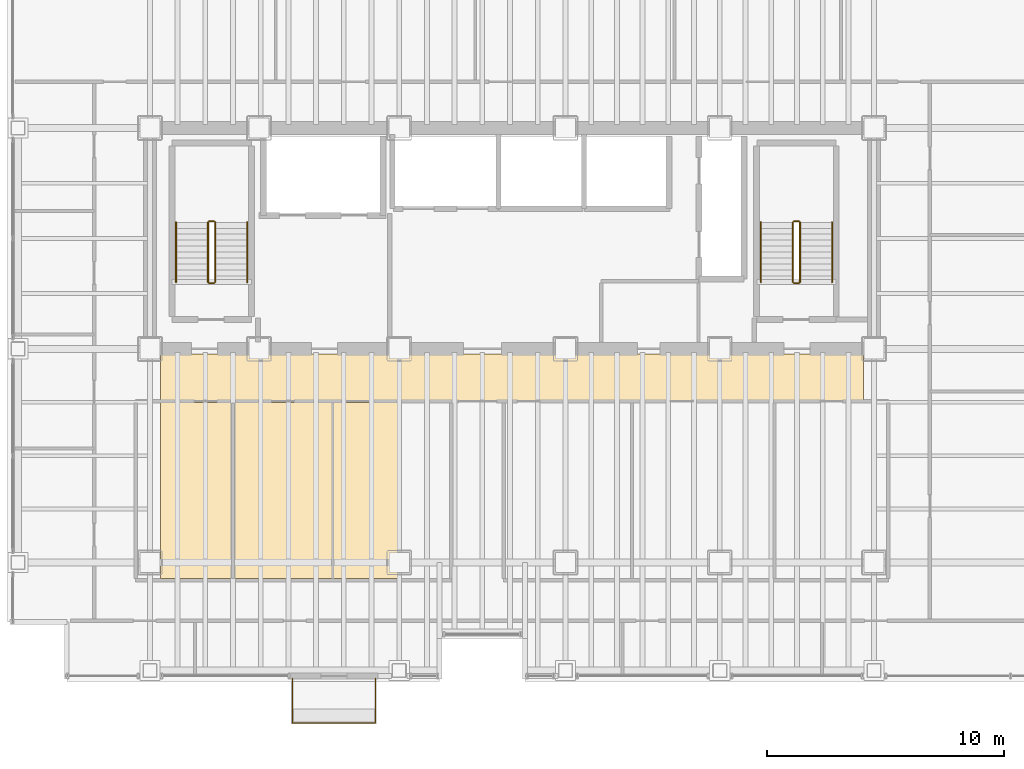
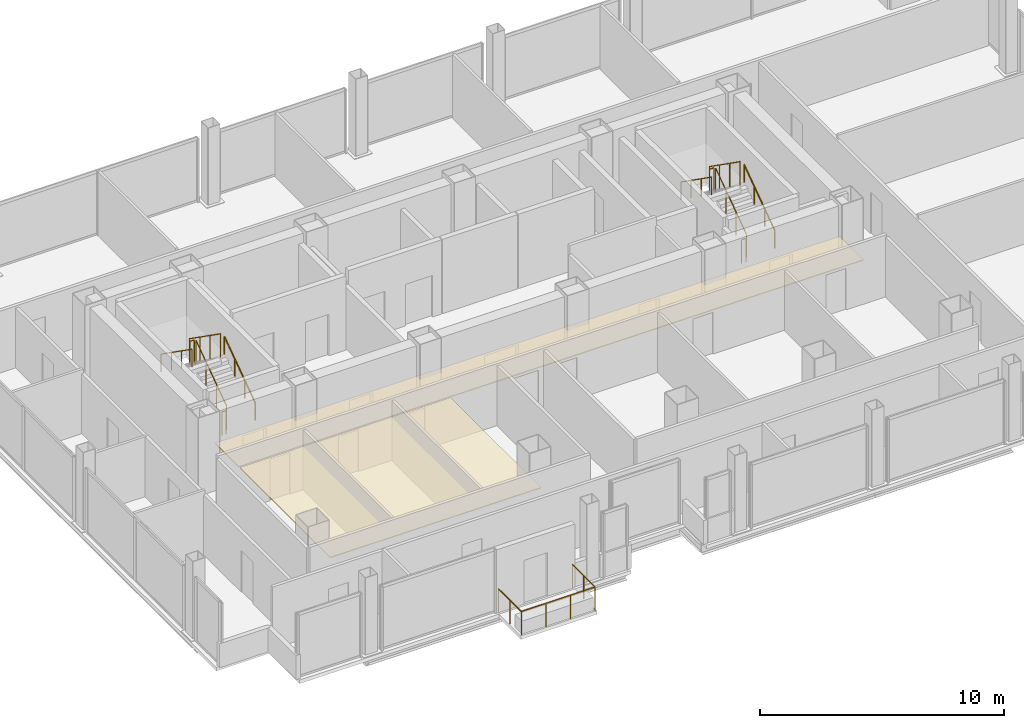
# One storey, part 20 of 20: 13 railings, 2 coverings.
"""IFC4 building model written with IfcOpenShell, lengths in metres."""

import ifcopenshell
import ifcopenshell.guid

model = None  # the IFC model being written
_history = None  # IfcOwnerHistory: only IFC2X3 demands one
_inside = {}  # id of a spatial element -> (the spatial element, [elements in it])
_under = {}  # id of a project, library or spatial element -> (it, [spatial elements below it])
_declared = {}  # id of a project -> (the project, [libraries it declares])
_typed = {}  # id of a type object -> (the type object, [elements of that type])
_made_of = {}  # id of a material, layer set ... -> (it, [elements and type objects made of it])


def new_model(schema):
    """Start an empty IFC model of exactly this schema.

    Asked for "IFC4X3", IfcOpenShell would pick the latest addendum, in which some entities
    have other attributes; the version numbers below select the first issue.
    IFC2X3 requires an IfcOwnerHistory on every rooted entity: one is made here for all.
    """
    global model, _history
    if schema == "IFC4X3":
        model = ifcopenshell.file(schema_version=(4, 3, 0, 0))
    else:
        model = ifcopenshell.file(schema=schema)
    _inside.clear()
    _under.clear()
    _declared.clear()
    _typed.clear()
    _made_of.clear()
    _history = None
    if model.schema == "IFC2X3":
        org = make("IfcOrganization", Name="unknown")
        user = make(
            "IfcPersonAndOrganization",
            ThePerson=make("IfcPerson", FamilyName="unknown"),
            TheOrganization=org,
        )
        app = make(
            "IfcApplication",
            ApplicationDeveloper=org,
            Version="unknown",
            ApplicationFullName="unknown",
            ApplicationIdentifier="unknown",
        )
        _history = make(
            "IfcOwnerHistory",
            OwningUser=user,
            OwningApplication=app,
            ChangeAction="ADDED",
            CreationDate=0,
        )
    return model


def make(cls, **values):
    """One entity of the class cls with the attributes given. An attribute that is None is left unset."""
    return model.create_entity(
        cls, **{name: value for name, value in values.items() if value is not None}
    )


def rooted(cls, **values):
    """An entity with a GlobalId (a new one), such as an element, a storey or a relation."""
    return make(cls, GlobalId=ifcopenshell.guid.new(), OwnerHistory=_history, **values)


def si_unit(unit_type, name, prefix=None):
    """IfcSIUnit, for example si_unit("LENGTHUNIT", "METRE", prefix="MILLI")."""
    return make("IfcSIUnit", UnitType=unit_type, Prefix=prefix, Name=name)


def assignment(units):
    """IfcUnitAssignment: the units of a project."""
    return None if units is None else make("IfcUnitAssignment", Units=units)


def point(xyz):
    """IfcCartesianPoint."""
    return None if xyz is None else make("IfcCartesianPoint", Coordinates=xyz)


def direction(xyz):
    """IfcDirection."""
    return None if xyz is None else make("IfcDirection", DirectionRatios=xyz)


def frame(location, z_axis=None, x_axis=None):
    """IfcAxis2Placement3D, a coordinate frame: its origin and axes. An axis left out is left unset."""
    return make(
        "IfcAxis2Placement3D",
        Location=point(location),
        Axis=direction(z_axis),
        RefDirection=direction(x_axis),
    )


def frame_2d(location, x_axis=None):
    """IfcAxis2Placement2D, a coordinate frame in the plane: its origin and x axis."""
    return make(
        "IfcAxis2Placement2D", Location=point(location), RefDirection=direction(x_axis)
    )


def origin():
    """The frame at (0, 0, 0) with its axes left unset."""
    return frame((0.0, 0.0, 0.0))


def origin_2d():
    """The frame at (0, 0) in the plane with its x axis left unset."""
    return frame_2d((0.0, 0.0))


def place(relative_to, where):
    """IfcLocalPlacement: puts the frame where relative to a parent placement (None: the world)."""
    return make(
        "IfcLocalPlacement", PlacementRelTo=relative_to, RelativePlacement=where
    )


def context(
    kind, dimensions, precision=None, world=None, true_north=None, identifier=None
):
    """IfcGeometricRepresentationContext, for example the 3D "Model" context."""
    return make(
        "IfcGeometricRepresentationContext",
        ContextIdentifier=identifier,
        ContextType=kind,
        CoordinateSpaceDimension=dimensions,
        Precision=precision,
        WorldCoordinateSystem=world,
        TrueNorth=true_north,
    )


def subcontext(parent, identifier, kind, view, scale=None):
    """IfcGeometricRepresentationSubContext, for example "Body" below "Model"."""
    return make(
        "IfcGeometricRepresentationSubContext",
        ContextIdentifier=identifier,
        ContextType=kind,
        ParentContext=parent,
        TargetScale=scale,
        TargetView=view,
    )


def project(units=None, contexts=None):
    """IfcProject with its units and contexts."""
    return rooted(
        "IfcProject",
        Name="project",
        RepresentationContexts=contexts,
        UnitsInContext=assignment(units),
    )


def spatial(cls, under=None, at=None, **own):
    """A site, building, storey or space (cls), placed at a placement, below another one or the project."""
    s = rooted(cls, ObjectPlacement=at, **own)
    if under is not None:
        _under.setdefault(under.id(), (under, []))[1].append(s)
    return s


def polyline(points):
    """IfcPolyline through the points."""
    return make("IfcPolyline", Points=[point(p) for p in points])


def profile(cls, at=None, kind="AREA", **sizes):
    """A parametric profile (cls). Its sizes go by their IFC names, for example OverallWidth=200.0."""
    return make(cls, ProfileType=kind, Position=at, **sizes)


def circle(**sizes):
    """IfcCircleProfileDef."""
    return profile("IfcCircleProfileDef", **sizes)


def outline(outer, holes=None, kind="AREA"):
    """IfcArbitraryClosedProfileDef: a profile drawn as a closed curve; with holes, ...WithVoids."""
    if holes is None:
        return make("IfcArbitraryClosedProfileDef", ProfileType=kind, OuterCurve=outer)
    return make(
        "IfcArbitraryProfileDefWithVoids",
        ProfileType=kind,
        OuterCurve=outer,
        InnerCurves=holes,
    )


def extrude(swept, where, along, depth):
    """IfcExtrudedAreaSolid: the profile swept, set in the frame where, extruded along a direction by depth."""
    return make(
        "IfcExtrudedAreaSolid",
        SweptArea=swept,
        Position=where,
        ExtrudedDirection=direction(along),
        Depth=depth,
    )


def shape(context_of_items, identifier, shape_type, items):
    """IfcShapeRepresentation: the items that make up one representation, for example the "Body"."""
    return make(
        "IfcShapeRepresentation",
        ContextOfItems=context_of_items,
        RepresentationIdentifier=identifier,
        RepresentationType=shape_type,
        Items=items,
    )


def material(Name=None, Category=None):
    """IfcMaterial."""
    return make("IfcMaterial", Name=Name, Category=Category)


def layer(
    of_material, thickness, ventilated=None, Name=None, Category=None, Priority=None
):
    """IfcMaterialLayer: one layer of a wall or slab, of a material (None: an air gap)."""
    return make(
        "IfcMaterialLayer",
        Material=of_material,
        LayerThickness=thickness,
        IsVentilated=ventilated,
        Name=Name,
        Category=Category,
        Priority=Priority,
    )


def layer_set(layers, Name=None):
    """IfcMaterialLayerSet."""
    return make("IfcMaterialLayerSet", MaterialLayers=layers, LayerSetName=Name)


def made_of(thing, what):
    """Note that an element or type object is made of a material, layer set ...; save() writes the relation."""
    if what is not None:
        _made_of.setdefault(what.id(), (what, []))[1].append(thing)
    return thing


def type_object(cls, material=None, **own):
    """A type object (cls), such as IfcWallType, which elements share."""
    return made_of(rooted(cls, **own), material)


def element(
    cls,
    number,
    at=None,
    inside=None,
    cuts=None,
    type_object=None,
    material=None,
    context=None,
    identifier="Body",
    shape_type=None,
    held_by="IfcProductDefinitionShape",
    body=None,
    shapes=None,
    **own,
):
    """One element of the class cls, such as IfcWall. Its Tag is "e" and its number.

    at: its placement. inside: the storey or other place that contains it. cuts: it is an
    opening in that element (IfcRelVoidsElement). A single representation is given by context,
    identifier, shape_type and body (its items); several are given by shapes. held_by: the class
    of the entity that holds the representations. save() writes the other relations.
    """
    e = rooted(cls, Tag="e%d" % number, ObjectPlacement=at, **own)
    if body is not None:
        shapes = [shape(context, identifier, shape_type, body)]
    if shapes is not None:
        e.Representation = make(held_by, Representations=shapes)
    if inside is not None:
        _inside.setdefault(inside.id(), (inside, []))[1].append(e)
    if cuts is not None:
        rooted(
            "IfcRelVoidsElement", RelatingBuildingElement=cuts, RelatedOpeningElement=e
        )
    if type_object is not None:
        _typed.setdefault(type_object.id(), (type_object, []))[1].append(e)
    return made_of(e, material)


def aggregate(whole, parts):
    """IfcRelAggregates: a whole, such as a stair, and the parts it consists of."""
    return rooted("IfcRelAggregates", RelatingObject=whole, RelatedObjects=parts)


def save(model, path):
    """Write the relations noted so far, then the file.

    IfcRelAggregates (storeys below a building ...), IfcRelContainedInSpatialStructure (elements
    in a storey), IfcRelDefinesByType, IfcRelAssociatesMaterial and IfcRelDeclares: one each for
    every whole, place, type object, material and project.
    """
    for whole, parts in _under.values():
        aggregate(whole, parts)
    for where, things in _inside.values():
        rooted(
            "IfcRelContainedInSpatialStructure",
            RelatedElements=things,
            RelatingStructure=where,
        )
    for kind, things in _typed.values():
        rooted("IfcRelDefinesByType", RelatedObjects=things, RelatingType=kind)
    for what, things in _made_of.values():
        rooted("IfcRelAssociatesMaterial", RelatedObjects=things, RelatingMaterial=what)
    for by, libraries in _declared.values():
        rooted("IfcRelDeclares", RelatingContext=by, RelatedDefinitions=libraries)
    model.write(path)


model = new_model("IFC4")

# Units and contexts
model_context = context("Model", 3, precision=1e-05, world=origin(), true_north=direction((0.0, 1.0)))
body_context = subcontext(model_context, "Body", "Model", "MODEL_VIEW")
ifc_project = project(units=[si_unit("LENGTHUNIT", "METRE"), si_unit("AREAUNIT", "SQUARE_METRE"), si_unit("VOLUMEUNIT", "CUBIC_METRE"), si_unit("PLANEANGLEUNIT", "RADIAN"), si_unit("MASSUNIT", "GRAM", prefix="KILO")], contexts=[model_context])

# Site, building, storey
site_placement = place(None, origin())
site = spatial("IfcSite", under=ifc_project, at=site_placement, CompositionType="ELEMENT")
building_placement = place(site_placement, origin())
building = spatial("IfcBuilding", under=site, at=building_placement, Name="Noeulbin Bourse Tower", CompositionType="ELEMENT")
storey_placement = place(building_placement, frame((0.0, 0.0, 57.699951171875)))
storey = spatial("IfcBuildingStorey", under=building, at=storey_placement, Name="L14", CompositionType="ELEMENT", Elevation=57.699951171875)

# Coverings
ifc_material_1 = material(Name="Perforated Mineral-Fibre Acoustic Tile")
ifc_layer_1 = layer(ifc_material_1, 0.0400390625)
ifc_layer_set_1 = layer_set([ifc_layer_1], Name="Perforated Mineral-Fibre Acoustic Tile")
covering_type = type_object("IfcCoveringType", Name="COV-CEIL-ACT", PredefinedType="CEILING", material=ifc_layer_set_1)
covering_1_placement = place(storey_placement, frame((0.0, 0.0, 2.110107421875)))
element("IfcCovering", 1, at=covering_1_placement, inside=storey, type_object=covering_type, Name="Corridor Suspended Ceiling L14", PredefinedType="CEILING", context=body_context, shape_type="SweptSolid", body=[
    extrude(outline(polyline([(13.949951171875, 26.820068359375), (43.550048828125, 26.820068359375), (43.550048828125, 28.780029296875), (13.949951171875, 28.780029296875), (13.949951171875, 26.820068359375)])), origin(), (0.0, 0.0, 1.0), 0.0400390625),
])
covering_2_placement = place(storey_placement, frame((0.0, 0.0, 2.110107421875)))
element("IfcCovering", 2, at=covering_2_placement, inside=storey, type_object=covering_type, Name="Trading Suite Acoustic Ceiling L14", PredefinedType="CEILING", context=body_context, shape_type="SweptSolid", body=[
    extrude(outline(polyline([(13.949951171875, 19.320068359375), (23.949951171875, 19.320068359375), (23.949951171875, 26.75), (13.949951171875, 26.75), (13.949951171875, 19.320068359375)])), origin(), (0.0, 0.0, 1.0), 0.0400390625),
])

# Railings
ifc_material_2 = material(Name="Laminated SentryGlas and Stainless Steel 316", Category="steel")
ifc_layer_2 = layer(ifc_material_2, 0.06005859375)
ifc_layer_set_2 = layer_set([ifc_layer_2], Name="Laminated SentryGlas and Stainless Steel 316")
railing_type_1 = type_object("IfcRailingType", Name="RLG-BAL-1200", PredefinedType="BALUSTRADE", material=ifc_layer_set_2)
railing_1_placement = place(storey_placement, frame((19.5, 15.1201171875, 0.0)))
element("IfcRailing", 3, at=railing_1_placement, inside=storey, type_object=railing_type_1, Name="Tree-Balcony Glazed Balustrade L14", PredefinedType="BALUSTRADE", context=body_context, shape_type="SweptSolid", body=[
    extrude(circle(Radius=0.02392578125, at=origin_2d()), frame((0.0, 0.0, 1.17578125), z_axis=(0.0, -1.0, 0.0), x_axis=(1.0, 0.0, 0.0)), (0.0, 0.0, 1.0), 1.8701171875),
    extrude(circle(Radius=0.02392578125, at=origin_2d()), frame((0.0, -1.8701171875, 1.17578125), z_axis=(1.0, 0.0, 0.0), x_axis=(0.0, 1.0, 0.0)), (0.0, 0.0, 1.0), 3.5),
    extrude(circle(Radius=0.02392578125, at=origin_2d()), frame((3.5, -1.8701171875, 1.17578125), z_axis=(0.0, 1.0, 0.0), x_axis=(-1.0, 0.0, 0.0)), (0.0, 0.0, 1.0), 1.8701171875),
    extrude(circle(Radius=0.02099609375, at=origin_2d()), origin(), (0.0, 0.0, 1.0), 1.15185546875),
    extrude(circle(Radius=0.02099609375, at=origin_2d()), frame((0.0, -0.93505859375, 0.0)), (0.0, 0.0, 1.0), 1.15185546875),
    extrude(circle(Radius=0.02099609375, at=origin_2d()), frame((0.0, -1.8701171875, 0.0)), (0.0, 0.0, 1.0), 1.15185546875),
    extrude(circle(Radius=0.02099609375, at=origin_2d()), frame((1.166748046875, -1.8701171875, 0.0)), (0.0, 0.0, 1.0), 1.15185546875),
    extrude(circle(Radius=0.02099609375, at=origin_2d()), frame((2.333251953125, -1.8701171875, 0.0)), (0.0, 0.0, 1.0), 1.15185546875),
    extrude(circle(Radius=0.02099609375, at=origin_2d()), frame((3.5, -1.8701171875, 0.0)), (0.0, 0.0, 1.0), 1.15185546875),
    extrude(circle(Radius=0.02099609375, at=origin_2d()), frame((3.5, -0.93505859375, 0.0)), (0.0, 0.0, 1.0), 1.15185546875),
    extrude(circle(Radius=0.02099609375, at=origin_2d()), frame((3.5, 0.0, 0.0)), (0.0, 0.0, 1.0), 1.15185546875),
])
ifc_material_3 = material(Name="Painted Tubular Steel S355", Category="steel")
ifc_layer_3 = layer(ifc_material_3, 0.048095703125)
ifc_layer_set_3 = layer_set([ifc_layer_3], Name="Painted Tubular Steel S355")
railing_type_2 = type_object("IfcRailingType", Name="RLG-STR-GRD", PredefinedType="GUARDRAIL", material=ifc_layer_set_3)
railing_2_placement = place(storey_placement, frame((16.25, 31.81005859375, 0.17724609375)))
element("IfcRailing", 4, at=railing_2_placement, inside=storey, type_object=railing_type_2, Name="L14 ST-1 stair guard 1", PredefinedType="GUARDRAIL", context=body_context, shape_type="SweptSolid", body=[
    extrude(circle(Radius=0.02392578125, at=origin_2d()), frame((0.0, 0.0, 1.17578125), z_axis=(0.0, 0.817904474719, 0.575354039036), x_axis=(-1.0, 0.0, 0.0)), (0.0, 0.0, 1.0), 3.0810546875),
    extrude(circle(Radius=0.02099609375, at=origin_2d()), origin(), (0.0, 0.0, 1.0), 1.15185546875),
    extrude(circle(Radius=0.02099609375, at=origin_2d()), frame((0.0, 0.840087890625, 0.5908203125)), (0.0, 0.0, 1.0), 1.15185546875),
    extrude(circle(Radius=0.02099609375, at=origin_2d()), frame((0.0, 1.679931640625, 1.181884765625)), (0.0, 0.0, 1.0), 1.15185546875),
    extrude(circle(Radius=0.02099609375, at=origin_2d()), frame((0.0, 2.52001953125, 1.772705078125)), (0.0, 0.0, 1.0), 1.15185546875),
])
railing_3_placement = place(storey_placement, frame((16.199951171875, 34.3798828125, 1.949951171875)))
element("IfcRailing", 5, at=railing_3_placement, inside=storey, type_object=railing_type_2, Name="L14 ST-1 stair guard 2", PredefinedType="GUARDRAIL", context=body_context, shape_type="SweptSolid", body=[
    extrude(circle(Radius=0.02392578125, at=origin_2d()), frame((0.0, 0.0, 1.17578125), z_axis=(-1.0, 0.0, 0.0), x_axis=(0.0, -1.0, 0.0)), (0.0, 0.0, 1.0), 0.199951171875),
    extrude(circle(Radius=0.02099609375, at=origin_2d()), origin(), (0.0, 0.0, 1.0), 1.15185546875),
    extrude(circle(Radius=0.02099609375, at=origin_2d()), frame((-0.199951171875, 0.0, 0.0)), (0.0, 0.0, 1.0), 1.15185546875),
])
railing_4_placement = place(storey_placement, frame((15.949951171875, 34.330078125, 2.12744140625)))
element("IfcRailing", 6, at=railing_4_placement, inside=storey, type_object=railing_type_2, Name="L14 ST-1 stair guard 3", PredefinedType="GUARDRAIL", context=body_context, shape_type="SweptSolid", body=[
    extrude(circle(Radius=0.02392578125, at=origin_2d()), frame((0.0, 0.0, 1.17578125), z_axis=(0.0, -0.817904474719, 0.575354039036), x_axis=(1.0, 0.0, 0.0)), (0.0, 0.0, 1.0), 3.0810546875),
    extrude(circle(Radius=0.02099609375, at=origin_2d()), origin(), (0.0, 0.0, 1.0), 1.15185546875),
    extrude(circle(Radius=0.02099609375, at=origin_2d()), frame((0.0, -0.840087890625, 0.5908203125)), (0.0, 0.0, 1.0), 1.15185546875),
    extrude(circle(Radius=0.02099609375, at=origin_2d()), frame((0.0, -1.679931640625, 1.181884765625)), (0.0, 0.0, 1.0), 1.15185546875),
    extrude(circle(Radius=0.02099609375, at=origin_2d()), frame((0.0, -2.52001953125, 1.772705078125)), (0.0, 0.0, 1.0), 1.15185546875),
])
railing_5_placement = place(storey_placement, frame((16.199951171875, 31.760009765625, 0.0)))
element("IfcRailing", 7, at=railing_5_placement, inside=storey, type_object=railing_type_2, Name="L14 ST-1 stair guard 4", PredefinedType="GUARDRAIL", context=body_context, shape_type="SweptSolid", body=[
    extrude(circle(Radius=0.02392578125, at=origin_2d()), frame((0.0, 0.0, 1.17578125), z_axis=(-1.0, 0.0, 0.0), x_axis=(0.0, -1.0, 0.0)), (0.0, 0.0, 1.0), 0.199951171875),
    extrude(circle(Radius=0.02099609375, at=origin_2d()), origin(), (0.0, 0.0, 1.0), 1.15185546875),
    extrude(circle(Radius=0.02099609375, at=origin_2d()), frame((-0.199951171875, 0.0, 0.0)), (0.0, 0.0, 1.0), 1.15185546875),
])
railing_6_placement = place(storey_placement, frame((40.8798828125, 31.81005859375, 0.17724609375)))
element("IfcRailing", 8, at=railing_6_placement, inside=storey, type_object=railing_type_2, Name="L14 ST-2 stair guard 1", PredefinedType="GUARDRAIL", context=body_context, shape_type="SweptSolid", body=[
    extrude(circle(Radius=0.02392578125, at=origin_2d()), frame((0.0, 0.0, 1.17578125), z_axis=(0.0, 0.817904474719, 0.575354039036), x_axis=(-1.0, 0.0, 0.0)), (0.0, 0.0, 1.0), 3.0810546875),
    extrude(circle(Radius=0.02099609375, at=origin_2d()), origin(), (0.0, 0.0, 1.0), 1.15185546875),
    extrude(circle(Radius=0.02099609375, at=origin_2d()), frame((0.0, 0.840087890625, 0.5908203125)), (0.0, 0.0, 1.0), 1.15185546875),
    extrude(circle(Radius=0.02099609375, at=origin_2d()), frame((0.0, 1.679931640625, 1.181884765625)), (0.0, 0.0, 1.0), 1.15185546875),
    extrude(circle(Radius=0.02099609375, at=origin_2d()), frame((0.0, 2.52001953125, 1.772705078125)), (0.0, 0.0, 1.0), 1.15185546875),
])
railing_7_placement = place(storey_placement, frame((40.830078125, 34.3798828125, 1.949951171875)))
element("IfcRailing", 9, at=railing_7_placement, inside=storey, type_object=railing_type_2, Name="L14 ST-2 stair guard 2", PredefinedType="GUARDRAIL", context=body_context, shape_type="SweptSolid", body=[
    extrude(circle(Radius=0.02392578125, at=origin_2d()), frame((0.0, 0.0, 1.17578125), z_axis=(-1.0, 0.0, 0.0), x_axis=(0.0, -1.0, 0.0)), (0.0, 0.0, 1.0), 0.2001953125),
    extrude(circle(Radius=0.02099609375, at=origin_2d()), origin(), (0.0, 0.0, 1.0), 1.15185546875),
    extrude(circle(Radius=0.02099609375, at=origin_2d()), frame((-0.2001953125, 0.0, 0.0)), (0.0, 0.0, 1.0), 1.15185546875),
])
railing_8_placement = place(storey_placement, frame((40.580078125, 34.330078125, 2.12744140625)))
element("IfcRailing", 10, at=railing_8_placement, inside=storey, type_object=railing_type_2, Name="L14 ST-2 stair guard 3", PredefinedType="GUARDRAIL", context=body_context, shape_type="SweptSolid", body=[
    extrude(circle(Radius=0.02392578125, at=origin_2d()), frame((0.0, 0.0, 1.17578125), z_axis=(0.0, -0.817904474719, 0.575354039036), x_axis=(1.0, 0.0, 0.0)), (0.0, 0.0, 1.0), 3.0810546875),
    extrude(circle(Radius=0.02099609375, at=origin_2d()), origin(), (0.0, 0.0, 1.0), 1.15185546875),
    extrude(circle(Radius=0.02099609375, at=origin_2d()), frame((0.0, -0.840087890625, 0.5908203125)), (0.0, 0.0, 1.0), 1.15185546875),
    extrude(circle(Radius=0.02099609375, at=origin_2d()), frame((0.0, -1.679931640625, 1.181884765625)), (0.0, 0.0, 1.0), 1.15185546875),
    extrude(circle(Radius=0.02099609375, at=origin_2d()), frame((0.0, -2.52001953125, 1.772705078125)), (0.0, 0.0, 1.0), 1.15185546875),
])
railing_9_placement = place(storey_placement, frame((40.830078125, 31.760009765625, 0.0)))
element("IfcRailing", 11, at=railing_9_placement, inside=storey, type_object=railing_type_2, Name="L14 ST-2 stair guard 4", PredefinedType="GUARDRAIL", context=body_context, shape_type="SweptSolid", body=[
    extrude(circle(Radius=0.02392578125, at=origin_2d()), frame((0.0, 0.0, 1.17578125), z_axis=(-1.0, 0.0, 0.0), x_axis=(0.0, -1.0, 0.0)), (0.0, 0.0, 1.0), 0.2001953125),
    extrude(circle(Radius=0.02099609375, at=origin_2d()), origin(), (0.0, 0.0, 1.0), 1.15185546875),
    extrude(circle(Radius=0.02099609375, at=origin_2d()), frame((-0.2001953125, 0.0, 0.0)), (0.0, 0.0, 1.0), 1.15185546875),
])
ifc_material_4 = material(Name="Brushed Stainless Steel 316", Category="steel")
ifc_layer_4 = layer(ifc_material_4, 0.048095703125)
ifc_layer_set_4 = layer_set([ifc_layer_4], Name="Brushed Stainless Steel 316")
railing_type_3 = type_object("IfcRailingType", Name="RLG-STR-HND", PredefinedType="HANDRAIL", material=ifc_layer_set_4)
railing_10_placement = place(storey_placement, frame((17.60009765625, 31.81005859375, 0.17724609375)))
element("IfcRailing", 12, at=railing_10_placement, inside=storey, type_object=railing_type_3, Name="L14 ST-1 stair handrail 1", PredefinedType="HANDRAIL", context=body_context, shape_type="SweptSolid", body=[
    extrude(circle(Radius=0.02392578125, at=origin_2d()), frame((0.0, 0.0, 0.8759765625), z_axis=(0.0, 0.817904474719, 0.575354039036), x_axis=(-1.0, 0.0, 0.0)), (0.0, 0.0, 1.0), 3.0810546875),
    extrude(circle(Radius=0.02099609375, at=origin_2d()), origin(), (0.0, 0.0, 1.0), 0.851806640625),
    extrude(circle(Radius=0.02099609375, at=origin_2d()), frame((0.0, 0.840087890625, 0.5908203125)), (0.0, 0.0, 1.0), 0.851806640625),
    extrude(circle(Radius=0.02099609375, at=origin_2d()), frame((0.0, 1.679931640625, 1.181884765625)), (0.0, 0.0, 1.0), 0.851806640625),
    extrude(circle(Radius=0.02099609375, at=origin_2d()), frame((0.0, 2.52001953125, 1.772705078125)), (0.0, 0.0, 1.0), 0.851806640625),
])
railing_11_placement = place(storey_placement, frame((14.60009765625, 34.330078125, 2.12744140625)))
element("IfcRailing", 13, at=railing_11_placement, inside=storey, type_object=railing_type_3, Name="L14 ST-1 stair handrail 2", PredefinedType="HANDRAIL", context=body_context, shape_type="SweptSolid", body=[
    extrude(circle(Radius=0.02392578125, at=origin_2d()), frame((0.0, 0.0, 0.8759765625), z_axis=(0.0, -0.817904474719, 0.575354039036), x_axis=(1.0, 0.0, 0.0)), (0.0, 0.0, 1.0), 3.0810546875),
    extrude(circle(Radius=0.02099609375, at=origin_2d()), origin(), (0.0, 0.0, 1.0), 0.851806640625),
    extrude(circle(Radius=0.02099609375, at=origin_2d()), frame((0.0, -0.840087890625, 0.5908203125)), (0.0, 0.0, 1.0), 0.851806640625),
    extrude(circle(Radius=0.02099609375, at=origin_2d()), frame((0.0, -1.679931640625, 1.181884765625)), (0.0, 0.0, 1.0), 0.851806640625),
    extrude(circle(Radius=0.02099609375, at=origin_2d()), frame((0.0, -2.52001953125, 1.772705078125)), (0.0, 0.0, 1.0), 0.851806640625),
])
railing_12_placement = place(storey_placement, frame((42.22998046875, 31.81005859375, 0.17724609375)))
element("IfcRailing", 14, at=railing_12_placement, inside=storey, type_object=railing_type_3, Name="L14 ST-2 stair handrail 1", PredefinedType="HANDRAIL", context=body_context, shape_type="SweptSolid", body=[
    extrude(circle(Radius=0.02392578125, at=origin_2d()), frame((0.0, 0.0, 0.8759765625), z_axis=(0.0, 0.817904474719, 0.575354039036), x_axis=(-1.0, 0.0, 0.0)), (0.0, 0.0, 1.0), 3.0810546875),
    extrude(circle(Radius=0.02099609375, at=origin_2d()), origin(), (0.0, 0.0, 1.0), 0.851806640625),
    extrude(circle(Radius=0.02099609375, at=origin_2d()), frame((0.0, 0.840087890625, 0.5908203125)), (0.0, 0.0, 1.0), 0.851806640625),
    extrude(circle(Radius=0.02099609375, at=origin_2d()), frame((0.0, 1.679931640625, 1.181884765625)), (0.0, 0.0, 1.0), 0.851806640625),
    extrude(circle(Radius=0.02099609375, at=origin_2d()), frame((0.0, 2.52001953125, 1.772705078125)), (0.0, 0.0, 1.0), 0.851806640625),
])
railing_13_placement = place(storey_placement, frame((39.22998046875, 34.330078125, 2.12744140625)))
element("IfcRailing", 15, at=railing_13_placement, inside=storey, type_object=railing_type_3, Name="L14 ST-2 stair handrail 2", PredefinedType="HANDRAIL", context=body_context, shape_type="SweptSolid", body=[
    extrude(circle(Radius=0.02392578125, at=origin_2d()), frame((0.0, 0.0, 0.8759765625), z_axis=(0.0, -0.817904474719, 0.575354039036), x_axis=(1.0, 0.0, 0.0)), (0.0, 0.0, 1.0), 3.0810546875),
    extrude(circle(Radius=0.02099609375, at=origin_2d()), origin(), (0.0, 0.0, 1.0), 0.851806640625),
    extrude(circle(Radius=0.02099609375, at=origin_2d()), frame((0.0, -0.840087890625, 0.5908203125)), (0.0, 0.0, 1.0), 0.851806640625),
    extrude(circle(Radius=0.02099609375, at=origin_2d()), frame((0.0, -1.679931640625, 1.181884765625)), (0.0, 0.0, 1.0), 0.851806640625),
    extrude(circle(Radius=0.02099609375, at=origin_2d()), frame((0.0, -2.52001953125, 1.772705078125)), (0.0, 0.0, 1.0), 0.851806640625),
])

save(model, "model.ifc")
